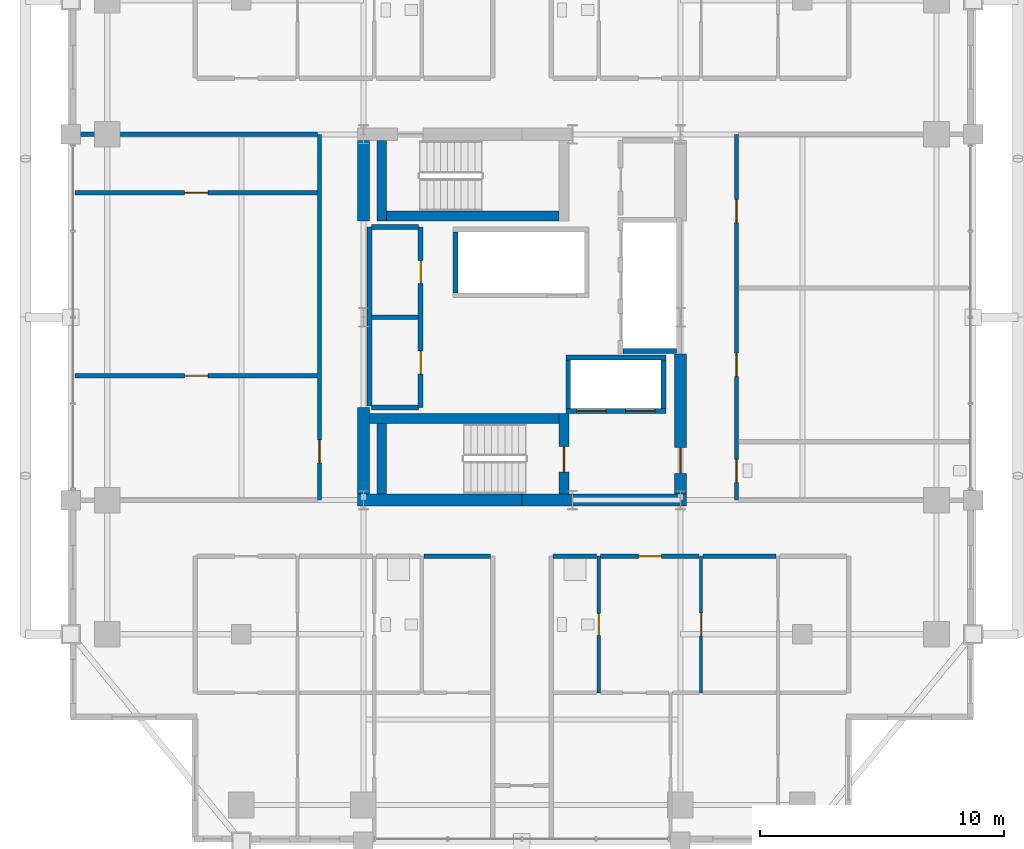
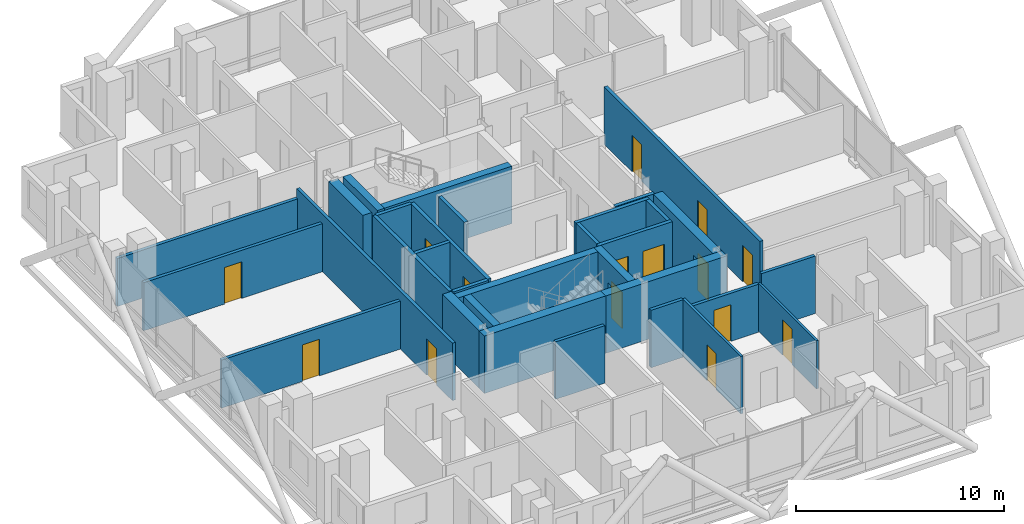
# One storey, part 21 of 26: 32 walls, 15 doors, 15 openings.
"""IFC4 building model written with IfcOpenShell, lengths in metres."""

from ifc_helpers import new_model, si_unit, direction, frame, frame_2d, origin, place, context, subcontext, project, spatial, rectangle, extrude, material, layer, layer_set, type_object, element, fill, save


model = new_model("IFC4")

# Units and contexts
model_context = context("Model", 3, precision=1e-05, world=origin(), true_north=direction((0.0, 1.0)))
body_context = subcontext(model_context, "Body", "Model", "MODEL_VIEW")
ifc_project = project(units=[si_unit("LENGTHUNIT", "METRE"), si_unit("AREAUNIT", "SQUARE_METRE"), si_unit("VOLUMEUNIT", "CUBIC_METRE"), si_unit("PLANEANGLEUNIT", "RADIAN"), si_unit("MASSUNIT", "GRAM", prefix="KILO")], contexts=[model_context])

# Site, building, storey
site_placement = place(None, origin())
site = spatial("IfcSite", under=ifc_project, at=site_placement, CompositionType="ELEMENT")
building_placement = place(site_placement, origin())
building = spatial("IfcBuilding", under=site, at=building_placement, Name="Barlavira Tower and Art Museum", CompositionType="ELEMENT")
storey_placement = place(building_placement, frame((0.0, 0.0, 198.0)))
storey = spatial("IfcBuildingStorey", under=building, at=storey_placement, Name="L51", CompositionType="ELEMENT", Elevation=198.0)

# Wall, opening, door
ifc_material_1 = material(Name="Gypsum acoustic stud partition", Category="gypsum")
ifc_layer_1 = layer(ifc_material_1, 0.1201171875, Name="Gypsum acoustic stud partition")
ifc_layer_set_1 = layer_set([ifc_layer_1], Name="Gypsum acoustic stud partition")
wall_type_1 = type_object("IfcWallType", Name="Apartment Internal Acoustic Partition 120", PredefinedType="PARTITIONING", material=ifc_layer_set_1)
wall_1_placement = place(storey_placement, frame((7.35009765625, -15.39990234375, 0.0), z_axis=(0.0, 0.0, 1.0), x_axis=(0.0, 1.0, 0.0)))
wall_1 = element("IfcWall", 1, at=wall_1_placement, inside=storey, type_object=wall_type_1, Name="L51 Partition Wall 21", PredefinedType="PARTITIONING", context=body_context, shape_type="SweptSolid", body=[
    extrude(rectangle(XDim=5.599853515625, YDim=0.1201171875, at=frame_2d((2.7998046875, 0.0))), origin(), (0.0, 0.0, 1.0), 2.825927734375),
])
opening_1_placement = place(wall_1_placement, frame((2.324951171875, 0.0, 0.0)))
opening_1 = element("IfcOpeningElement", 2, at=opening_1_placement, cuts=wall_1, Name="Opening D-02", PredefinedType="OPENING", context=body_context, shape_type="SweptSolid", body=[
    extrude(rectangle(XDim=0.949951171875, YDim=2.10009765625, at=frame_2d((0.47509765625, 1.050048828125))), frame((0.0, 0.070068359375, 0.0), z_axis=(0.0, -1.0, 0.0), x_axis=(1.0, 0.0, 0.0)), (0.0, 0.0, 1.0), 0.14013671875),
])
ifc_material_2 = material(Name="Engineered coastal hardwood", Category="wood")
door_type_1 = type_object("IfcDoorType", Name="Living and Salon Glazed-Leaf Door 950x2100", OperationType="NOTDEFINED", PredefinedType="DOOR", material=ifc_material_2)
door_1_placement = place(opening_1_placement, origin())
door_1 = element("IfcDoor", 3, at=door_1_placement, inside=storey, type_object=door_type_1, Name="Apartment SE1 Kitchen Door", OperationType="SINGLE_SWING_RIGHT", OverallHeight=2.10009765625, OverallWidth=0.949951171875, PredefinedType="DOOR", context=body_context, shape_type="SweptSolid", body=[
    extrude(rectangle(XDim=0.949951171875, YDim=2.10009765625, at=frame_2d((0.47509765625, 1.050048828125))), frame((0.0, 0.02490234375, 0.0), z_axis=(0.0, -1.0, 0.0), x_axis=(1.0, 0.0, 0.0)), (0.0, 0.0, 1.0), 0.050048828125),
])
fill(opening_1, door_1)

# Walls
ifc_material_3 = material(Name="Concrete C60", Category="concrete")
ifc_layer_2 = layer(ifc_material_3, 0.5, Name="Concrete C60")
ifc_layer_set_2 = layer_set([ifc_layer_2], Name="Concrete C60")
wall_type_2 = type_object("IfcWallType", Name="Core Structural Shear Wall 500 Concrete C60", PredefinedType="SHEAR", material=ifc_layer_set_2)
for number, where, z_axis, x_axis, name in (
    (4, (-6.75, -7.5, 0.0), (0.0, 0.0, 1.0), (1.0, 0.0, 0.0), "L51 Core Shear Wall CS-SW"),
    (5, (0.0, -7.5, 0.0), (0.0, 0.0, 1.0), (1.0, 0.0, 0.0), "L51 Core Shear Wall CS-SE"),
):
    element("IfcWall", number, at=place(storey_placement, frame(where, z_axis=z_axis, x_axis=x_axis)), inside=storey, type_object=wall_type_2, Name=name, PredefinedType="SHEAR", context=body_context, shape_type="SweptSolid", body=[
        extrude(rectangle(XDim=6.75, YDim=0.5, at=frame_2d((3.375, 0.0))), origin(), (0.0, 0.0, 1.0), 3.3798828125),
    ])
wall_2_placement = place(storey_placement, frame((-6.5, -7.25, 0.0), z_axis=(0.0, 0.0, 1.0), x_axis=(0.0, 1.0, 0.0)))
element("IfcWall", 6, at=wall_2_placement, inside=storey, type_object=wall_type_2, Name="L51 Core Shear Wall CS-W1", PredefinedType="SHEAR", context=body_context, shape_type="SweptSolid", body=[
    extrude(rectangle(XDim=3.550048828125, YDim=0.5, at=frame_2d((1.77490234375, 0.0))), origin(), (0.0, 0.0, 1.0), 3.3798828125),
])
wall_3_placement = place(storey_placement, frame((-6.5, 3.949951171875, 0.0), z_axis=(0.0, 0.0, 1.0), x_axis=(0.0, 1.0, 0.0)))
element("IfcWall", 7, at=wall_3_placement, inside=storey, type_object=wall_type_2, Name="L51 Core Shear Wall CS-W2", PredefinedType="SHEAR", context=body_context, shape_type="SweptSolid", body=[
    extrude(rectangle(XDim=3.300048828125, YDim=0.5, at=frame_2d((1.64990234375, 0.0))), origin(), (0.0, 0.0, 1.0), 3.3798828125),
])

# Wall, opening, door
wall_4_placement = place(storey_placement, frame((6.5, -7.25, 0.0), z_axis=(0.0, 0.0, 1.0), x_axis=(0.0, 1.0, 0.0)))
wall_4 = element("IfcWall", 8, at=wall_4_placement, inside=storey, type_object=wall_type_2, Name="L51 Core Shear Wall CS-E1", PredefinedType="SHEAR", context=body_context, shape_type="SweptSolid", body=[
    extrude(rectangle(XDim=5.75, YDim=0.5, at=frame_2d((2.875, 0.0))), origin(), (0.0, 0.0, 1.0), 3.3798828125),
])
opening_2_placement = place(wall_4_placement, frame((0.85009765625, 0.0, 0.0)))
opening_2 = element("IfcOpeningElement", 9, at=opening_2_placement, cuts=wall_4, Name="Opening FD-90", PredefinedType="OPENING", context=body_context, shape_type="SweptSolid", body=[
    extrude(rectangle(XDim=1.050048828125, YDim=2.14990234375, at=frame_2d((0.52490234375, 1.074951171875))), frame((0.0, 0.260009765625, 0.0), z_axis=(0.0, -1.0, 0.0), x_axis=(1.0, 0.0, 0.0)), (0.0, 0.0, 1.0), 0.52001953125),
])
ifc_material_4 = material(Name="Brushed stainless steel", Category="steel")
door_type_2 = type_object("IfcDoorType", Name="Stair and Refuge Fire Door 1050x2150 FD90S", OperationType="NOTDEFINED", PredefinedType="DOOR", material=ifc_material_4)
door_2_placement = place(opening_2_placement, origin())
door_2 = element("IfcDoor", 10, at=door_2_placement, inside=storey, type_object=door_type_2, Name="L51 Firefighting Lobby Entry Fire Door", OperationType="SINGLE_SWING_LEFT", OverallHeight=2.14990234375, OverallWidth=1.050048828125, PredefinedType="DOOR", context=body_context, shape_type="SweptSolid", body=[
    extrude(rectangle(XDim=1.050048828125, YDim=2.14990234375, at=frame_2d((0.52490234375, 1.074951171875))), frame((0.0, 0.02490234375, 0.0), z_axis=(0.0, -1.0, 0.0), x_axis=(1.0, 0.0, 0.0)), (0.0, 0.0, 1.0), 0.050048828125),
])
fill(opening_2, door_2)

# Walls
ifc_material_5 = material(Name="Autoclaved aerated concrete masonry", Category="masonry")
ifc_layer_3 = layer(ifc_material_5, 0.199951171875, Name="Autoclaved aerated concrete masonry")
ifc_layer_set_3 = layer_set([ifc_layer_3], Name="Autoclaved aerated concrete masonry")
wall_type_3 = type_object("IfcWallType", Name="Fire Compartment and Shaft Wall 200", PredefinedType="SOLIDWALL", material=ifc_layer_set_3)
wall_5_placement = place(storey_placement, frame((4.14990234375, -1.389892578125, 0.0), z_axis=(0.0, 0.0, 1.0), x_axis=(1.0, 0.0, 0.0)))
element("IfcWall", 11, at=wall_5_placement, inside=storey, type_object=wall_type_3, Name="L51 Mid-Rise Lift South Shaft Wall", PredefinedType="SOLIDWALL", context=body_context, shape_type="SweptSolid", body=[
    extrude(rectangle(XDim=2.2001953125, YDim=0.199951171875, at=frame_2d((1.10009765625, 0.0))), origin(), (0.0, 0.0, 1.0), 3.3798828125),
])
wall_6_placement = place(storey_placement, frame((-2.719970703125, 1.0, 0.0), z_axis=(0.0, 0.0, 1.0), x_axis=(0.0, 1.0, 0.0)))
element("IfcWall", 12, at=wall_6_placement, inside=storey, type_object=wall_type_3, Name="L51 High-Rise & Service Lift West Wall", PredefinedType="SOLIDWALL", context=body_context, shape_type="SweptSolid", body=[
    extrude(rectangle(XDim=2.5, YDim=0.199951171875, at=frame_2d((1.25, 0.0))), origin(), (0.0, 0.0, 1.0), 3.3798828125),
])

# Wall, openings, doors
wall_7_placement = place(storey_placement, frame((1.800048828125, -3.85009765625, 0.0), z_axis=(0.0, 0.0, 1.0), x_axis=(1.0, 0.0, 0.0)))
wall_7 = element("IfcWall", 13, at=wall_7_placement, inside=storey, type_object=wall_type_3, Name="L51 Firefighting Lift Front Shaft Wall", PredefinedType="SOLIDWALL", context=body_context, shape_type="SweptSolid", body=[
    extrude(rectangle(XDim=4.099853515625, YDim=0.199951171875, at=frame_2d((2.0498046875, 0.0))), origin(), (0.0, 0.0, 1.0), 3.3798828125),
])
opening_3_placement = place(wall_7_placement, frame((0.449951171875, 0.0, 0.0)))
opening_3 = element("IfcOpeningElement", 14, at=opening_3_placement, cuts=wall_7, Name="Opening LD-F", PredefinedType="OPENING", context=body_context, shape_type="SweptSolid", body=[
    extrude(rectangle(XDim=1.199951171875, YDim=2.199951171875, at=frame_2d((0.60009765625, 1.10009765625))), frame((0.0, 0.10986328125, 0.0), z_axis=(0.0, -1.0, 0.0), x_axis=(1.0, 0.0, 0.0)), (0.0, 0.0, 1.0), 0.219970703125),
])
opening_4_placement = place(wall_7_placement, frame((2.449951171875, 0.0, 0.0)))
opening_4 = element("IfcOpeningElement", 15, at=opening_4_placement, cuts=wall_7, Name="Opening LD-F", PredefinedType="OPENING", context=body_context, shape_type="SweptSolid", body=[
    extrude(rectangle(XDim=1.199951171875, YDim=2.199951171875, at=frame_2d((0.60009765625, 1.10009765625))), frame((0.0, 0.10986328125, 0.0), z_axis=(0.0, -1.0, 0.0), x_axis=(1.0, 0.0, 0.0)), (0.0, 0.0, 1.0), 0.219970703125),
])
door_type_3 = type_object("IfcDoorType", Name="Firefighting and Service Lift Sliding Door 1200x2200 FD120", OperationType="NOTDEFINED", PredefinedType="DOOR", material=ifc_material_4)
door_3_placement = place(opening_3_placement, origin())
door_3 = element("IfcDoor", 16, at=door_3_placement, inside=storey, type_object=door_type_3, Name="L51 Firefighting Lift FF1 Sliding Door", OperationType="DOUBLE_DOOR_SLIDING", OverallHeight=2.199951171875, OverallWidth=1.199951171875, PredefinedType="DOOR", context=body_context, shape_type="SweptSolid", body=[
    extrude(rectangle(XDim=1.199951171875, YDim=2.199951171875, at=frame_2d((0.60009765625, 1.10009765625))), frame((0.0, 0.02490234375, 0.0), z_axis=(0.0, -1.0, 0.0), x_axis=(1.0, 0.0, 0.0)), (0.0, 0.0, 1.0), 0.050048828125),
])
fill(opening_3, door_3)
door_4_placement = place(opening_4_placement, origin())
door_4 = element("IfcDoor", 17, at=door_4_placement, inside=storey, type_object=door_type_3, Name="L51 Firefighting Lift FF2 Sliding Door", OperationType="DOUBLE_DOOR_SLIDING", OverallHeight=2.199951171875, OverallWidth=1.199951171875, PredefinedType="DOOR", context=body_context, shape_type="SweptSolid", body=[
    extrude(rectangle(XDim=1.199951171875, YDim=2.199951171875, at=frame_2d((0.60009765625, 1.10009765625))), frame((0.0, 0.02490234375, 0.0), z_axis=(0.0, -1.0, 0.0), x_axis=(1.0, 0.0, 0.0)), (0.0, 0.0, 1.0), 0.050048828125),
])
fill(opening_4, door_4)

# Walls
wall_8_placement = place(storey_placement, frame((1.800048828125, -1.64990234375, 0.0), z_axis=(0.0, 0.0, 1.0), x_axis=(1.0, 0.0, 0.0)))
element("IfcWall", 18, at=wall_8_placement, inside=storey, type_object=wall_type_3, Name="L51 Firefighting Lift Back Shaft Wall", PredefinedType="SOLIDWALL", context=body_context, shape_type="SweptSolid", body=[
    extrude(rectangle(XDim=4.099853515625, YDim=0.199951171875, at=frame_2d((2.0498046875, 0.0))), origin(), (0.0, 0.0, 1.0), 3.3798828125),
])
for number, where, z_axis, x_axis, name in (
    (19, (1.89990234375, -3.75, 0.0), (0.0, 0.0, 1.0), (0.0, 1.0, 0.0), "L51 Firefighting Lift West Shaft Wall"),
    (20, (5.800048828125, -3.75, 0.0), (0.0, 0.0, 1.0), (0.0, 1.0, 0.0), "L51 Firefighting Lift East Shaft Wall"),
):
    element("IfcWall", number, at=place(storey_placement, frame(where, z_axis=z_axis, x_axis=x_axis)), inside=storey, type_object=wall_type_3, Name=name, PredefinedType="SOLIDWALL", context=body_context, shape_type="SweptSolid", body=[
        extrude(rectangle(XDim=2.0, YDim=0.199951171875, at=frame_2d((1.0, 0.0))), origin(), (0.0, 0.0, 1.0), 3.3798828125),
    ])
wall_9_placement = place(storey_placement, frame((-6.25, -3.639892578125, 0.0), z_axis=(0.0, 0.0, 1.0), x_axis=(0.0, 1.0, 0.0)))
element("IfcWall", 21, at=wall_9_placement, inside=storey, type_object=wall_type_3, Name="L51 Partition Wall 6", PredefinedType="SOLIDWALL", context=body_context, shape_type="SweptSolid", body=[
    extrude(rectangle(XDim=7.33984375, YDim=0.199951171875, at=frame_2d((3.669921875, 0.0))), origin(), (0.0, 0.0, 1.0), 3.3798828125),
])

# Wall, openings, doors
wall_10_placement = place(storey_placement, frame((-4.14990234375, -3.699951171875, 0.0), z_axis=(0.0, 0.0, 1.0), x_axis=(0.0, 1.0, 0.0)))
wall_10 = element("IfcWall", 22, at=wall_10_placement, inside=storey, type_object=wall_type_3, Name="L51 Partition Wall 9", PredefinedType="SOLIDWALL", context=body_context, shape_type="SweptSolid", body=[
    extrude(rectangle(XDim=7.39990234375, YDim=0.199951171875, at=frame_2d((3.699951171875, 0.0))), origin(), (0.0, 0.0, 1.0), 3.3798828125),
])
opening_5_placement = place(wall_10_placement, frame((1.375, 0.0, 0.0)))
opening_5 = element("IfcOpeningElement", 23, at=opening_5_placement, cuts=wall_10, Name="Opening FD-60", PredefinedType="OPENING", context=body_context, shape_type="SweptSolid", body=[
    extrude(rectangle(XDim=0.949951171875, YDim=2.14990234375, at=frame_2d((0.47509765625, 1.074951171875))), frame((0.0, 0.10986328125, 0.0), z_axis=(0.0, -1.0, 0.0), x_axis=(1.0, 0.0, 0.0)), (0.0, 0.0, 1.0), 0.219970703125),
])
opening_6_placement = place(wall_10_placement, frame((5.074951171875, 0.0, 0.0)))
opening_6 = element("IfcOpeningElement", 24, at=opening_6_placement, cuts=wall_10, Name="Opening FD-60", PredefinedType="OPENING", context=body_context, shape_type="SweptSolid", body=[
    extrude(rectangle(XDim=0.949951171875, YDim=2.14990234375, at=frame_2d((0.47509765625, 1.074951171875))), frame((0.0, 0.10986328125, 0.0), z_axis=(0.0, -1.0, 0.0), x_axis=(1.0, 0.0, 0.0)), (0.0, 0.0, 1.0), 0.219970703125),
])
door_type_4 = type_object("IfcDoorType", Name="Apartment Entrance and Riser Fire Door 950x2150 FD60S", OperationType="NOTDEFINED", PredefinedType="DOOR", material=ifc_material_4)
door_5_placement = place(opening_5_placement, origin())
door_5 = element("IfcDoor", 25, at=door_5_placement, inside=storey, type_object=door_type_4, Name="Reclaimed Core Linen and Amenity Store Door", OperationType="SINGLE_SWING_LEFT", OverallHeight=2.14990234375, OverallWidth=0.949951171875, PredefinedType="DOOR", context=body_context, shape_type="SweptSolid", body=[
    extrude(rectangle(XDim=0.949951171875, YDim=2.14990234375, at=frame_2d((0.47509765625, 1.074951171875))), frame((0.0, 0.02490234375, 0.0), z_axis=(0.0, -1.0, 0.0), x_axis=(1.0, 0.0, 0.0)), (0.0, 0.0, 1.0), 0.050048828125),
])
fill(opening_5, door_5)
door_6_placement = place(opening_6_placement, origin())
door_6 = element("IfcDoor", 26, at=door_6_placement, inside=storey, type_object=door_type_4, Name="Reclaimed Core Telecom and BMS Room Door", OperationType="SINGLE_SWING_RIGHT", OverallHeight=2.14990234375, OverallWidth=0.949951171875, PredefinedType="DOOR", context=body_context, shape_type="SweptSolid", body=[
    extrude(rectangle(XDim=0.949951171875, YDim=2.14990234375, at=frame_2d((0.47509765625, 1.074951171875))), frame((0.0, 0.02490234375, 0.0), z_axis=(0.0, -1.0, 0.0), x_axis=(1.0, 0.0, 0.0)), (0.0, 0.0, 1.0), 0.050048828125),
])
fill(opening_6, door_6)

# Walls
for number, where, z_axis, x_axis, name in (
    (27, (-6.169921875, -3.699951171875, 0.0), (0.0, 0.0, 1.0), (1.0, 0.0, 0.0), "L51 Partition Wall 49"),
    (28, (-6.169921875, 0.0, 0.0), (0.0, 0.0, 1.0), (1.0, 0.0, 0.0), "L51 Partition Wall 51"),
    (29, (-6.169921875, 3.699951171875, 0.0), (0.0, 0.0, 1.0), (1.0, 0.0, 0.0), "L51 Partition Wall 53"),
):
    element("IfcWall", number, at=place(storey_placement, frame(where, z_axis=z_axis, x_axis=x_axis)), inside=storey, type_object=wall_type_3, Name=name, PredefinedType="SOLIDWALL", context=body_context, shape_type="SweptSolid", body=[
        extrude(rectangle(XDim=1.93994140625, YDim=0.199951171875, at=frame_2d((0.969970703125, 0.0))), origin(), (0.0, 0.0, 1.0), 3.3798828125),
    ])

# Wall, opening, door
ifc_layer_4 = layer(ifc_material_1, 0.179931640625, Name="Gypsum acoustic stud partition")
ifc_layer_set_4 = layer_set([ifc_layer_4], Name="Gypsum acoustic stud partition")
wall_type_4 = type_object("IfcWallType", Name="Inter-Tenancy Party Partition Wall 180", PredefinedType="PARTITIONING", material=ifc_layer_set_4)
wall_11_placement = place(storey_placement, frame((-8.300048828125, -7.5, 0.0), z_axis=(0.0, 0.0, 1.0), x_axis=(0.0, 1.0, 0.0)))
wall_11 = element("IfcWall", 30, at=wall_11_placement, inside=storey, type_object=wall_type_4, Name="L51 Partition Wall 5", PredefinedType="PARTITIONING", context=body_context, shape_type="SweptSolid", body=[
    extrude(rectangle(XDim=15.0, YDim=0.179931640625, at=frame_2d((7.5, 0.0))), origin(), (0.0, 0.0, 1.0), 3.3798828125),
])
opening_7_placement = place(wall_11_placement, frame((1.52490234375, 0.0, 0.0)))
opening_7 = element("IfcOpeningElement", 31, at=opening_7_placement, cuts=wall_11, Name="Opening FD-60", PredefinedType="OPENING", context=body_context, shape_type="SweptSolid", body=[
    extrude(rectangle(XDim=0.949951171875, YDim=2.14990234375, at=frame_2d((0.47509765625, 1.074951171875))), frame((0.0, 0.10009765625, 0.0), z_axis=(0.0, -1.0, 0.0), x_axis=(1.0, 0.0, 0.0)), (0.0, 0.0, 1.0), 0.199951171875),
])
door_7_placement = place(opening_7_placement, origin())
door_7 = element("IfcDoor", 32, at=door_7_placement, inside=storey, type_object=door_type_4, Name="Resident Sky Coworking Studio Door", OperationType="SINGLE_SWING_RIGHT", OverallHeight=2.14990234375, OverallWidth=0.949951171875, PredefinedType="DOOR", context=body_context, shape_type="SweptSolid", body=[
    extrude(rectangle(XDim=0.949951171875, YDim=2.14990234375, at=frame_2d((0.47509765625, 1.074951171875))), frame((0.0, 0.02490234375, 0.0), z_axis=(0.0, -1.0, 0.0), x_axis=(1.0, 0.0, 0.0)), (0.0, 0.0, 1.0), 0.050048828125),
])
fill(opening_7, door_7)

# Wall, openings, doors
wall_12_placement = place(storey_placement, frame((8.800048828125, -7.5, 0.0), z_axis=(0.0, 0.0, 1.0), x_axis=(0.0, 1.0, 0.0)))
wall_12 = element("IfcWall", 33, at=wall_12_placement, inside=storey, type_object=wall_type_4, Name="L51 Partition Wall 23", PredefinedType="PARTITIONING", context=body_context, shape_type="SweptSolid", body=[
    extrude(rectangle(XDim=15.0, YDim=0.179931640625, at=frame_2d((7.5, 0.0))), origin(), (0.0, 0.0, 1.0), 3.3798828125),
])
opening_8_placement = place(wall_12_placement, frame((0.72509765625, 0.0, 0.0)))
opening_8 = element("IfcOpeningElement", 34, at=opening_8_placement, cuts=wall_12, Name="Opening FD-60", PredefinedType="OPENING", context=body_context, shape_type="SweptSolid", body=[
    extrude(rectangle(XDim=0.949951171875, YDim=2.14990234375, at=frame_2d((0.47509765625, 1.074951171875))), frame((0.0, 0.10009765625, 0.0), z_axis=(0.0, -1.0, 0.0), x_axis=(1.0, 0.0, 0.0)), (0.0, 0.0, 1.0), 0.199951171875),
])
opening_9_placement = place(wall_12_placement, frame((5.074951171875, 0.0, 0.0)))
opening_9 = element("IfcOpeningElement", 35, at=opening_9_placement, cuts=wall_12, Name="Opening FD-60", PredefinedType="OPENING", context=body_context, shape_type="SweptSolid", body=[
    extrude(rectangle(XDim=0.949951171875, YDim=2.14990234375, at=frame_2d((0.47509765625, 1.074951171875))), frame((0.0, 0.10009765625, 0.0), z_axis=(0.0, -1.0, 0.0), x_axis=(1.0, 0.0, 0.0)), (0.0, 0.0, 1.0), 0.199951171875),
])
opening_10_placement = place(wall_12_placement, frame((11.375, 0.0, 0.0)))
opening_10 = element("IfcOpeningElement", 36, at=opening_10_placement, cuts=wall_12, Name="Opening FD-60", PredefinedType="OPENING", context=body_context, shape_type="SweptSolid", body=[
    extrude(rectangle(XDim=0.949951171875, YDim=2.14990234375, at=frame_2d((0.47509765625, 1.074951171875))), frame((0.0, 0.10009765625, 0.0), z_axis=(0.0, -1.0, 0.0), x_axis=(1.0, 0.0, 0.0)), (0.0, 0.0, 1.0), 0.199951171875),
])
door_8_placement = place(opening_8_placement, origin())
door_8 = element("IfcDoor", 37, at=door_8_placement, inside=storey, type_object=door_type_4, Name="Wellness Changing and Accessible Shower WC Door", OperationType="SINGLE_SWING_LEFT", OverallHeight=2.14990234375, OverallWidth=0.949951171875, PredefinedType="DOOR", context=body_context, shape_type="SweptSolid", body=[
    extrude(rectangle(XDim=0.949951171875, YDim=2.14990234375, at=frame_2d((0.47509765625, 1.074951171875))), frame((0.0, 0.02490234375, 0.0), z_axis=(0.0, -1.0, 0.0), x_axis=(1.0, 0.0, 0.0)), (0.0, 0.0, 1.0), 0.050048828125),
])
fill(opening_8, door_8)
door_9_placement = place(opening_9_placement, origin())
door_9 = element("IfcDoor", 38, at=door_9_placement, inside=storey, type_object=door_type_4, Name="Resident Ocean-View Fitness Studio Door", OperationType="SINGLE_SWING_RIGHT", OverallHeight=2.14990234375, OverallWidth=0.949951171875, PredefinedType="DOOR", context=body_context, shape_type="SweptSolid", body=[
    extrude(rectangle(XDim=0.949951171875, YDim=2.14990234375, at=frame_2d((0.47509765625, 1.074951171875))), frame((0.0, 0.02490234375, 0.0), z_axis=(0.0, -1.0, 0.0), x_axis=(1.0, 0.0, 0.0)), (0.0, 0.0, 1.0), 0.050048828125),
])
fill(opening_9, door_9)
door_10_placement = place(opening_10_placement, origin())
door_10 = element("IfcDoor", 39, at=door_10_placement, inside=storey, type_object=door_type_4, Name="Coastal Hydrotherapy and Yoga Lounge Door", OperationType="SINGLE_SWING_LEFT", OverallHeight=2.14990234375, OverallWidth=0.949951171875, PredefinedType="DOOR", context=body_context, shape_type="SweptSolid", body=[
    extrude(rectangle(XDim=0.949951171875, YDim=2.14990234375, at=frame_2d((0.47509765625, 1.074951171875))), frame((0.0, 0.02490234375, 0.0), z_axis=(0.0, -1.0, 0.0), x_axis=(1.0, 0.0, 0.0)), (0.0, 0.0, 1.0), 0.050048828125),
])
fill(opening_10, door_10)

# Walls
wall_13_placement = place(storey_placement, frame((-4.02001953125, -9.800048828125, 0.0), z_axis=(0.0, 0.0, 1.0), x_axis=(1.0, 0.0, 0.0)))
element("IfcWall", 40, at=wall_13_placement, inside=storey, type_object=wall_type_4, Name="L51 Partition Wall 41", PredefinedType="PARTITIONING", context=body_context, shape_type="SweptSolid", body=[
    extrude(rectangle(XDim=2.739990234375, YDim=0.179931640625, at=frame_2d((1.3701171875, 0.0))), origin(), (0.0, 0.0, 1.0), 3.3798828125),
])
wall_14_placement = place(storey_placement, frame((1.280029296875, -9.800048828125, 0.0), z_axis=(0.0, 0.0, 1.0), x_axis=(1.0, 0.0, 0.0)))
element("IfcWall", 41, at=wall_14_placement, inside=storey, type_object=wall_type_4, Name="L51 Partition Wall 42", PredefinedType="PARTITIONING", context=body_context, shape_type="SweptSolid", body=[
    extrude(rectangle(XDim=1.7900390625, YDim=0.179931640625, at=frame_2d((0.89501953125, 0.0))), origin(), (0.0, 0.0, 1.0), 3.3798828125),
])

# Wall, opening, door
wall_15_placement = place(storey_placement, frame((3.22998046875, -9.800048828125, 0.0), z_axis=(0.0, 0.0, 1.0), x_axis=(1.0, 0.0, 0.0)))
wall_15 = element("IfcWall", 42, at=wall_15_placement, inside=storey, type_object=wall_type_4, Name="L51 Partition Wall 43", PredefinedType="PARTITIONING", context=body_context, shape_type="SweptSolid", body=[
    extrude(rectangle(XDim=4.0400390625, YDim=0.179931640625, at=frame_2d((2.02001953125, 0.0))), origin(), (0.0, 0.0, 1.0), 2.825927734375),
])
opening_11_placement = place(wall_15_placement, frame((1.544921875, 0.0, 0.0)))
opening_11 = element("IfcOpeningElement", 43, at=opening_11_placement, cuts=wall_15, Name="Opening FD-60", PredefinedType="OPENING", context=body_context, shape_type="SweptSolid", body=[
    extrude(rectangle(XDim=0.949951171875, YDim=2.14990234375, at=frame_2d((0.47509765625, 1.074951171875))), frame((0.0, 0.10009765625, 0.0), z_axis=(0.0, -1.0, 0.0), x_axis=(1.0, 0.0, 0.0)), (0.0, 0.0, 1.0), 0.199951171875),
])
door_11_placement = place(opening_11_placement, origin())
door_11 = element("IfcDoor", 44, at=door_11_placement, inside=storey, type_object=door_type_4, Name="Apartment Entrance Hall SE1 Door", OperationType="SINGLE_SWING_LEFT", OverallHeight=2.14990234375, OverallWidth=0.949951171875, PredefinedType="DOOR", context=body_context, shape_type="SweptSolid", body=[
    extrude(rectangle(XDim=0.949951171875, YDim=2.14990234375, at=frame_2d((0.47509765625, 1.074951171875))), frame((0.0, 0.02490234375, 0.0), z_axis=(0.0, -1.0, 0.0), x_axis=(1.0, 0.0, 0.0)), (0.0, 0.0, 1.0), 0.050048828125),
])
fill(opening_11, door_11)

# Wall
wall_16_placement = place(storey_placement, frame((7.429931640625, -9.800048828125, 0.0), z_axis=(0.0, 0.0, 1.0), x_axis=(1.0, 0.0, 0.0)))
element("IfcWall", 45, at=wall_16_placement, inside=storey, type_object=wall_type_4, Name="L51 Partition Wall 44", PredefinedType="PARTITIONING", context=body_context, shape_type="SweptSolid", body=[
    extrude(rectangle(XDim=2.989990234375, YDim=0.179931640625, at=frame_2d((1.4951171875, 0.0))), origin(), (0.0, 0.0, 1.0), 3.3798828125),
])

# Wall, opening, door
wall_17_placement = place(storey_placement, frame((-18.320068359375, -2.39990234375, 0.0), z_axis=(0.0, 0.0, 1.0), x_axis=(1.0, 0.0, 0.0)))
wall_17 = element("IfcWall", 46, at=wall_17_placement, inside=storey, type_object=wall_type_4, Name="L51 Partition Wall 50", PredefinedType="PARTITIONING", context=body_context, shape_type="SweptSolid", body=[
    extrude(rectangle(XDim=9.940185546875, YDim=0.179931640625, at=frame_2d((4.97021484375, 0.0))), origin(), (0.0, 0.0, 1.0), 2.825927734375),
])
opening_12_placement = place(wall_17_placement, frame((4.4951171875, 0.0, 0.0)))
opening_12 = element("IfcOpeningElement", 47, at=opening_12_placement, cuts=wall_17, Name="Opening FD-60", PredefinedType="OPENING", context=body_context, shape_type="SweptSolid", body=[
    extrude(rectangle(XDim=0.949951171875, YDim=2.14990234375, at=frame_2d((0.47509765625, 1.074951171875))), frame((0.0, 0.10009765625, 0.0), z_axis=(0.0, -1.0, 0.0), x_axis=(1.0, 0.0, 0.0)), (0.0, 0.0, 1.0), 0.199951171875),
])
door_12_placement = place(opening_12_placement, origin())
door_12 = element("IfcDoor", 48, at=door_12_placement, inside=storey, type_object=door_type_4, Name="Atlantic Horizon Boardroom Door", OperationType="SINGLE_SWING_LEFT", OverallHeight=2.14990234375, OverallWidth=0.949951171875, PredefinedType="DOOR", context=body_context, shape_type="SweptSolid", body=[
    extrude(rectangle(XDim=0.949951171875, YDim=2.14990234375, at=frame_2d((0.47509765625, 1.074951171875))), frame((0.0, 0.02490234375, 0.0), z_axis=(0.0, -1.0, 0.0), x_axis=(1.0, 0.0, 0.0)), (0.0, 0.0, 1.0), 0.050048828125),
])
fill(opening_12, door_12)

wall_18_placement = place(storey_placement, frame((-18.320068359375, 5.10009765625, 0.0), z_axis=(0.0, 0.0, 1.0), x_axis=(1.0, 0.0, 0.0)))
wall_18 = element("IfcWall", 49, at=wall_18_placement, inside=storey, type_object=wall_type_4, Name="L51 Partition Wall 54", PredefinedType="PARTITIONING", context=body_context, shape_type="SweptSolid", body=[
    extrude(rectangle(XDim=9.940185546875, YDim=0.179931640625, at=frame_2d((4.97021484375, 0.0))), origin(), (0.0, 0.0, 1.0), 2.825927734375),
])
opening_13_placement = place(wall_18_placement, frame((4.4951171875, 0.0, 0.0)))
opening_13 = element("IfcOpeningElement", 50, at=opening_13_placement, cuts=wall_18, Name="Opening FD-60", PredefinedType="OPENING", context=body_context, shape_type="SweptSolid", body=[
    extrude(rectangle(XDim=0.949951171875, YDim=2.14990234375, at=frame_2d((0.47509765625, 1.074951171875))), frame((0.0, 0.10009765625, 0.0), z_axis=(0.0, -1.0, 0.0), x_axis=(1.0, 0.0, 0.0)), (0.0, 0.0, 1.0), 0.199951171875),
])
door_13_placement = place(opening_13_placement, origin())
door_13 = element("IfcDoor", 51, at=door_13_placement, inside=storey, type_object=door_type_4, Name="Shared Coworking Espresso Pantry Door", OperationType="SINGLE_SWING_RIGHT", OverallHeight=2.14990234375, OverallWidth=0.949951171875, PredefinedType="DOOR", context=body_context, shape_type="SweptSolid", body=[
    extrude(rectangle(XDim=0.949951171875, YDim=2.14990234375, at=frame_2d((0.47509765625, 1.074951171875))), frame((0.0, 0.02490234375, 0.0), z_axis=(0.0, -1.0, 0.0), x_axis=(1.0, 0.0, 0.0)), (0.0, 0.0, 1.0), 0.050048828125),
])
fill(opening_13, door_13)

# Wall
wall_19_placement = place(storey_placement, frame((-18.39990234375, 7.5, 0.0), z_axis=(0.0, 0.0, 1.0), x_axis=(1.0, 0.0, 0.0)))
element("IfcWall", 52, at=wall_19_placement, inside=storey, type_object=wall_type_4, Name="L51 Partition Wall 56", PredefinedType="PARTITIONING", context=body_context, shape_type="SweptSolid", body=[
    extrude(rectangle(XDim=10.02001953125, YDim=0.179931640625, at=frame_2d((5.010009765625, 0.0))), origin(), (0.0, 0.0, 1.0), 2.825927734375),
])

# Wall, opening, door
ifc_layer_5 = layer(ifc_material_1, 0.139892578125, Name="Gypsum acoustic stud partition")
ifc_layer_set_5 = layer_set([ifc_layer_5], Name="Gypsum acoustic stud partition")
wall_type_5 = type_object("IfcWallType", Name="Moisture-Resistant Bathroom Partition 140", PredefinedType="PARTITIONING", material=ifc_layer_set_5)
wall_20_placement = place(storey_placement, frame((3.14990234375, -15.39990234375, 0.0), z_axis=(0.0, 0.0, 1.0), x_axis=(0.0, 1.0, 0.0)))
wall_20 = element("IfcWall", 53, at=wall_20_placement, inside=storey, type_object=wall_type_5, Name="L51 Partition Wall 16", PredefinedType="PARTITIONING", context=body_context, shape_type="SweptSolid", body=[
    extrude(rectangle(XDim=5.599853515625, YDim=0.139892578125, at=frame_2d((2.7998046875, 0.0))), origin(), (0.0, 0.0, 1.0), 3.3798828125),
])
opening_14_placement = place(wall_20_placement, frame((2.35009765625, 0.0, 0.0)))
opening_14 = element("IfcOpeningElement", 54, at=opening_14_placement, cuts=wall_20, Name="Opening D-WC", PredefinedType="OPENING", context=body_context, shape_type="SweptSolid", body=[
    extrude(rectangle(XDim=0.89990234375, YDim=2.10009765625, at=frame_2d((0.449951171875, 1.050048828125))), frame((0.0, 0.080078125, 0.0), z_axis=(0.0, -1.0, 0.0), x_axis=(1.0, 0.0, 0.0)), (0.0, 0.0, 1.0), 0.159912109375),
])
door_type_5 = type_object("IfcDoorType", Name="Accessible Bathroom Flush Door 900x2100", OperationType="NOTDEFINED", PredefinedType="DOOR", material=ifc_material_2)
door_14_placement = place(opening_14_placement, origin())
door_14 = element("IfcDoor", 55, at=door_14_placement, inside=storey, type_object=door_type_5, Name="Apartment SE1 Hall Bathroom Door", OperationType="SINGLE_SWING_RIGHT", OverallHeight=2.10009765625, OverallWidth=0.89990234375, PredefinedType="DOOR", context=body_context, shape_type="SweptSolid", body=[
    extrude(rectangle(XDim=0.89990234375, YDim=2.10009765625, at=frame_2d((0.449951171875, 1.050048828125))), frame((0.0, 0.02490234375, 0.0), z_axis=(0.0, -1.0, 0.0), x_axis=(1.0, 0.0, 0.0)), (0.0, 0.0, 1.0), 0.050048828125),
])
fill(opening_14, door_14)

# Walls
ifc_material_6 = material(Name="Concrete C55", Category="concrete")
ifc_layer_6 = layer(ifc_material_6, 0.39990234375, Name="Concrete C55")
ifc_layer_set_6 = layer_set([ifc_layer_6], Name="Concrete C55")
wall_type_6 = type_object("IfcWallType", Name="Upper Core Shear Wall 400 Concrete C55", PredefinedType="SHEAR", material=ifc_layer_set_6)
wall_21_placement = place(storey_placement, frame((-5.75, -7.25, 0.0), z_axis=(0.0, 0.0, 1.0), x_axis=(0.0, 1.0, 0.0)))
element("IfcWall", 56, at=wall_21_placement, inside=storey, type_object=wall_type_6, Name="L51 ST-T1 West Half-Landing Wall", PredefinedType="SHEAR", context=body_context, shape_type="SweptSolid", body=[
    extrude(rectangle(XDim=2.89990234375, YDim=0.39990234375, at=frame_2d((1.449951171875, 0.0))), origin(), (0.0, 0.0, 1.0), 3.3798828125),
])
wall_22_placement = place(storey_placement, frame((-6.25, -4.14990234375, 0.0), z_axis=(0.0, 0.0, 1.0), x_axis=(1.0, 0.0, 0.0)))
element("IfcWall", 57, at=wall_22_placement, inside=storey, type_object=wall_type_6, Name="L51 ST-T1 North Shaft Wall", PredefinedType="SHEAR", context=body_context, shape_type="SweptSolid", body=[
    extrude(rectangle(XDim=7.780029296875, YDim=0.39990234375, at=frame_2d((3.89013671875, 0.0))), origin(), (0.0, 0.0, 1.0), 3.3798828125),
])

# Wall, opening, door
wall_23_placement = place(storey_placement, frame((1.72998046875, -7.25, 0.0), z_axis=(0.0, 0.0, 1.0), x_axis=(0.0, 1.0, 0.0)))
wall_23 = element("IfcWall", 58, at=wall_23_placement, inside=storey, type_object=wall_type_6, Name="L51 ST-T1 East Landing Wall", PredefinedType="SHEAR", context=body_context, shape_type="SweptSolid", body=[
    extrude(rectangle(XDim=3.300048828125, YDim=0.39990234375, at=frame_2d((1.64990234375, 0.0))), origin(), (0.0, 0.0, 1.0), 3.3798828125),
])
opening_15_placement = place(wall_23_placement, frame((0.89990234375, 0.0, 0.0)))
opening_15 = element("IfcOpeningElement", 59, at=opening_15_placement, cuts=wall_23, Name="Opening FD-90", PredefinedType="OPENING", context=body_context, shape_type="SweptSolid", body=[
    extrude(rectangle(XDim=1.050048828125, YDim=2.14990234375, at=frame_2d((0.52490234375, 1.074951171875))), frame((0.0, 0.2099609375, 0.0), z_axis=(0.0, -1.0, 0.0), x_axis=(1.0, 0.0, 0.0)), (0.0, 0.0, 1.0), 0.419921875),
])
door_15_placement = place(opening_15_placement, origin())
door_15 = element("IfcDoor", 60, at=door_15_placement, inside=storey, type_object=door_type_2, Name="L51 Stair ST-T1 Fire Door", OperationType="SINGLE_SWING_RIGHT", OverallHeight=2.14990234375, OverallWidth=1.050048828125, PredefinedType="DOOR", context=body_context, shape_type="SweptSolid", body=[
    extrude(rectangle(XDim=1.050048828125, YDim=2.14990234375, at=frame_2d((0.52490234375, 1.074951171875))), frame((0.0, 0.02490234375, 0.0), z_axis=(0.0, -1.0, 0.0), x_axis=(1.0, 0.0, 0.0)), (0.0, 0.0, 1.0), 0.050048828125),
])
fill(opening_15, door_15)

# Walls
wall_24_placement = place(storey_placement, frame((-5.550048828125, 4.14990234375, 0.0), z_axis=(0.0, 0.0, 1.0), x_axis=(1.0, 0.0, 0.0)))
element("IfcWall", 61, at=wall_24_placement, inside=storey, type_object=wall_type_6, Name="L51 ST-T2 South Shaft Wall", PredefinedType="SHEAR", context=body_context, shape_type="SweptSolid", body=[
    extrude(rectangle(XDim=7.080078125, YDim=0.39990234375, at=frame_2d((3.5400390625, 0.0))), origin(), (0.0, 0.0, 1.0), 3.3798828125),
])
wall_25_placement = place(storey_placement, frame((-5.75, 3.949951171875, 0.0), z_axis=(0.0, 0.0, 1.0), x_axis=(0.0, 1.0, 0.0)))
element("IfcWall", 62, at=wall_25_placement, inside=storey, type_object=wall_type_6, Name="L51 ST-T2 West Shaft Wall", PredefinedType="SHEAR", context=body_context, shape_type="SweptSolid", body=[
    extrude(rectangle(XDim=3.300048828125, YDim=0.39990234375, at=frame_2d((1.64990234375, 0.0))), origin(), (0.0, 0.0, 1.0), 3.3798828125),
])

save(model, "model.ifc")
